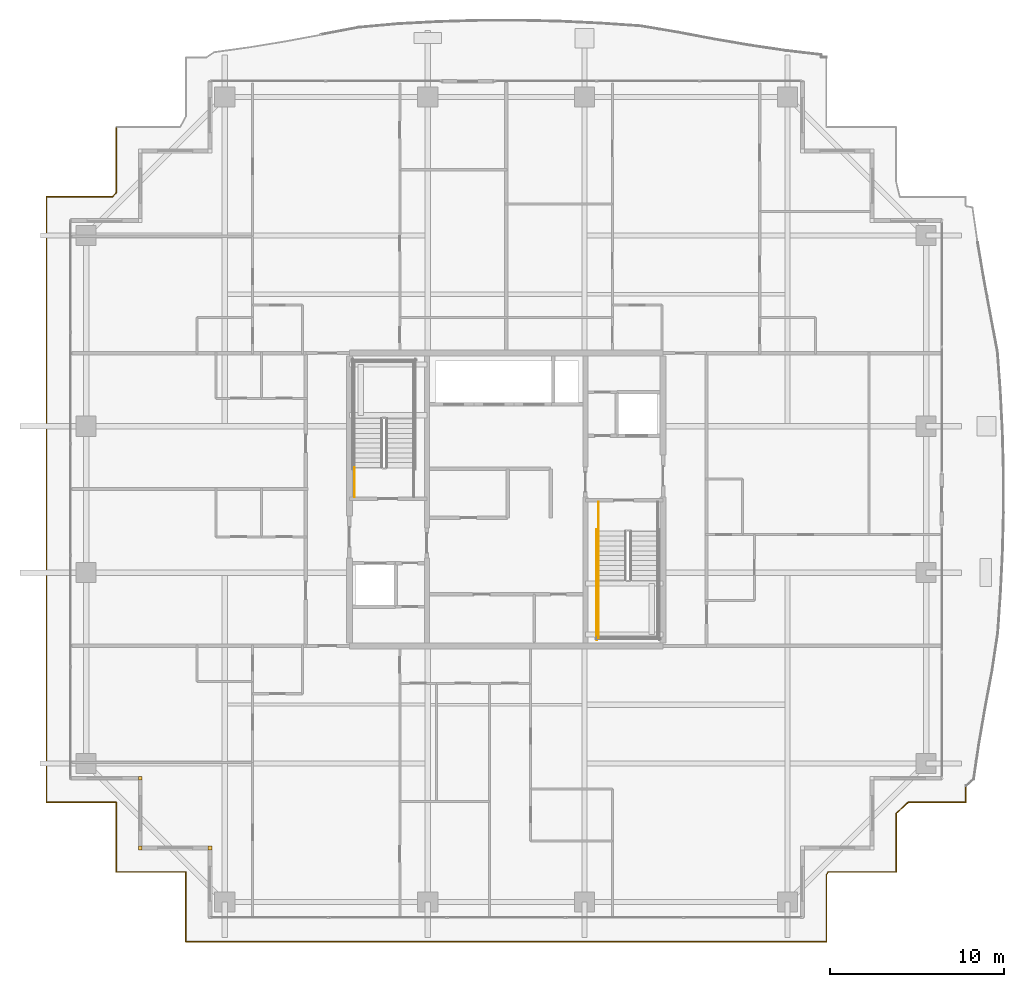
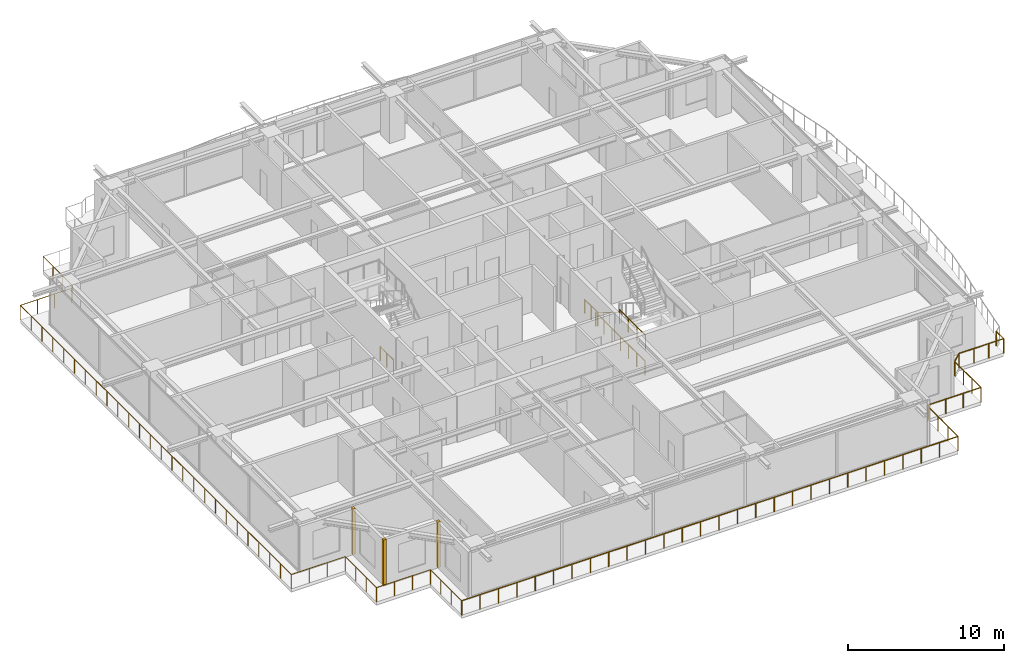
# One storey, part 33 of 37: 7 railings, 3 coverings.
"""IFC4 building model written with IfcOpenShell, lengths in metres."""

from ifc_helpers import new_model, si_unit, direction, frame, origin, origin_2d, place, context, subcontext, project, spatial, rectangle, circle, extrude, source, transform, mapped, material, layer, layer_set, type_object, element, save


model = new_model("IFC4")

# Units and contexts
model_context = context("Model", 3, precision=1e-05, world=origin(), true_north=direction((0.0, 1.0)))
body_context = subcontext(model_context, "Body", "Model", "MODEL_VIEW")
ifc_project = project(units=[si_unit("LENGTHUNIT", "METRE"), si_unit("AREAUNIT", "SQUARE_METRE"), si_unit("VOLUMEUNIT", "CUBIC_METRE"), si_unit("PLANEANGLEUNIT", "RADIAN"), si_unit("MASSUNIT", "GRAM", prefix="KILO")], contexts=[model_context])

# Site, building, storey
site_placement = place(None, origin())
site = spatial("IfcSite", under=ifc_project, at=site_placement, CompositionType="ELEMENT")
building_placement = place(site_placement, origin())
building = spatial("IfcBuilding", under=site, at=building_placement, Name="Serunith Strait Residences", CompositionType="ELEMENT")
storey_placement = place(building_placement, frame((0.0, 0.0, 233.550048828125)))
storey = spatial("IfcBuildingStorey", under=building, at=storey_placement, Name="L58", CompositionType="ELEMENT", Elevation=233.550048828125)

# Railings
ifc_material_1 = material(Name="Stainless Steel & Laminated Glass Balustrade", Category="steel")
railing_type_1 = type_object("IfcRailingType", Name="RLG-BALC-1150", PredefinedType="BALUSTRADE", material=ifc_material_1)
railing_1_placement = place(storey_placement, frame((58.780029296875, 8.7705078125, -0.050048828125)))
element("IfcRailing", 1, at=railing_1_placement, inside=storey, type_object=railing_type_1, Name="L58 Swirling Balcony Perimeter Balustrade 7", PredefinedType="BALUSTRADE", context=body_context, shape_type="SweptSolid", body=[
    extrude(circle(Radius=0.02392578125, at=origin_2d()), frame((0.0, -0.001953125, 1.1259765625), z_axis=(0.0, -1.0, 0.0), x_axis=(1.0, 0.0, 0.0)), (0.0, 0.0, 1.0), 0.946533203125),
    extrude(circle(Radius=0.02392578125, at=origin_2d()), frame((-0.001953125, -0.950439453125, 1.1259765625), z_axis=(-1.0, 0.0, 0.0), x_axis=(0.0, -1.0, 0.0)), (0.0, 0.0, 1.0), 3.3046875),
    extrude(circle(Radius=0.02392578125, at=origin_2d()), frame((-3.31005859375, -0.951904296875, 1.1259765625), z_axis=(-0.729922896006, -0.683529491599, 0.0), x_axis=(0.683529491599, -0.729922896006, 0.0)), (0.0, 0.0, 1.0), 0.943115234375),
    extrude(circle(Radius=0.02392578125, at=origin_2d()), frame((-4.0, -1.599853515625, 1.1259765625), z_axis=(0.0, -1.0, 0.0), x_axis=(1.0, 0.0, 0.0)), (0.0, 0.0, 1.0), 3.3486328125),
    extrude(circle(Radius=0.02392578125, at=origin_2d()), frame((-4.001953125, -4.950439453125, 1.1259765625), z_axis=(-1.0, 0.0, 0.0), x_axis=(0.0, -1.0, 0.0)), (0.0, 0.0, 1.0), 3.89501953125),
    extrude(circle(Radius=0.02392578125, at=origin_2d()), frame((-7.89990234375, -4.9521484375, 1.1259765625), z_axis=(-0.546751112301, -0.83729518164, 0.0), x_axis=(0.83729518164, -0.546751112301, 0.0)), (0.0, 0.0, 1.0), 0.180908203125),
    extrude(circle(Radius=0.02392578125, at=origin_2d()), frame((-8.0, -5.107177734375, 1.1259765625), z_axis=(0.0, -1.0, 0.0), x_axis=(1.0, 0.0, 0.0)), (0.0, 0.0, 1.0), 3.84130859375),
    extrude(circle(Radius=0.02392578125, at=origin_2d()), frame((-8.001953125, -8.950439453125, 1.1259765625), z_axis=(-1.0, 0.0, 0.0), x_axis=(0.0, -1.0, 0.0)), (0.0, 0.0, 1.0), 36.756103515625),
    extrude(circle(Radius=0.02099609375, at=origin_2d()), origin(), (0.0, 0.0, 1.0), 1.099853515625),
    extrude(circle(Radius=0.02099609375, at=origin_2d()), frame((0.0, -0.950439453125, 0.0)), (0.0, 0.0, 1.0), 1.099853515625),
    extrude(circle(Radius=0.02099609375, at=origin_2d()), frame((-1.102783203125, -0.950439453125, 0.0)), (0.0, 0.0, 1.0), 1.099853515625),
    extrude(circle(Radius=0.02099609375, at=origin_2d()), frame((-2.205810546875, -0.950439453125, 0.0)), (0.0, 0.0, 1.0), 1.099853515625),
    extrude(circle(Radius=0.02099609375, at=origin_2d()), frame((-3.30859375, -0.950439453125, 0.0)), (0.0, 0.0, 1.0), 1.099853515625),
    extrude(circle(Radius=0.02099609375, at=origin_2d()), frame((-4.0, -1.597900390625, 0.0)), (0.0, 0.0, 1.0), 1.099853515625),
    extrude(circle(Radius=0.02099609375, at=origin_2d()), frame((-4.0, -2.71533203125, 0.0)), (0.0, 0.0, 1.0), 1.099853515625),
    extrude(circle(Radius=0.02099609375, at=origin_2d()), frame((-4.0, -3.8330078125, 0.0)), (0.0, 0.0, 1.0), 1.099853515625),
    extrude(circle(Radius=0.02099609375, at=origin_2d()), frame((-4.0, -4.950439453125, 0.0)), (0.0, 0.0, 1.0), 1.099853515625),
    extrude(circle(Radius=0.02099609375, at=origin_2d()), frame((-5.299560546875, -4.950439453125, 0.0)), (0.0, 0.0, 1.0), 1.099853515625),
    extrude(circle(Radius=0.02099609375, at=origin_2d()), frame((-6.599365234375, -4.950439453125, 0.0)), (0.0, 0.0, 1.0), 1.099853515625),
    extrude(circle(Radius=0.02099609375, at=origin_2d()), frame((-7.89892578125, -4.950439453125, 0.0)), (0.0, 0.0, 1.0), 1.099853515625),
    extrude(circle(Radius=0.02099609375, at=origin_2d()), frame((-8.0, -5.105224609375, 0.0)), (0.0, 0.0, 1.0), 1.099853515625),
    extrude(circle(Radius=0.02099609375, at=origin_2d()), frame((-8.0, -6.386962890625, 0.0)), (0.0, 0.0, 1.0), 1.099853515625),
    extrude(circle(Radius=0.02099609375, at=origin_2d()), frame((-8.0, -7.668701171875, 0.0)), (0.0, 0.0, 1.0), 1.099853515625),
    extrude(circle(Radius=0.02099609375, at=origin_2d()), frame((-8.0, -8.950439453125, 0.0)), (0.0, 0.0, 1.0), 1.099853515625),
    extrude(circle(Radius=0.02099609375, at=origin_2d()), frame((-9.361572265625, -8.950439453125, 0.0)), (0.0, 0.0, 1.0), 1.099853515625),
    extrude(circle(Radius=0.02099609375, at=origin_2d()), frame((-10.722900390625, -8.950439453125, 0.0)), (0.0, 0.0, 1.0), 1.099853515625),
    extrude(circle(Radius=0.02099609375, at=origin_2d()), frame((-12.08447265625, -8.950439453125, 0.0)), (0.0, 0.0, 1.0), 1.099853515625),
    extrude(circle(Radius=0.02099609375, at=origin_2d()), frame((-13.446044921875, -8.950439453125, 0.0)), (0.0, 0.0, 1.0), 1.099853515625),
    extrude(circle(Radius=0.02099609375, at=origin_2d()), frame((-14.807373046875, -8.950439453125, 0.0)), (0.0, 0.0, 1.0), 1.099853515625),
    extrude(circle(Radius=0.02099609375, at=origin_2d()), frame((-16.1689453125, -8.950439453125, 0.0)), (0.0, 0.0, 1.0), 1.099853515625),
    extrude(circle(Radius=0.02099609375, at=origin_2d()), frame((-17.5302734375, -8.950439453125, 0.0)), (0.0, 0.0, 1.0), 1.099853515625),
    extrude(circle(Radius=0.02099609375, at=origin_2d()), frame((-18.891845703125, -8.950439453125, 0.0)), (0.0, 0.0, 1.0), 1.099853515625),
    extrude(circle(Radius=0.02099609375, at=origin_2d()), frame((-20.25341796875, -8.950439453125, 0.0)), (0.0, 0.0, 1.0), 1.099853515625),
    extrude(circle(Radius=0.02099609375, at=origin_2d()), frame((-21.61474609375, -8.950439453125, 0.0)), (0.0, 0.0, 1.0), 1.099853515625),
    extrude(circle(Radius=0.02099609375, at=origin_2d()), frame((-22.976318359375, -8.950439453125, 0.0)), (0.0, 0.0, 1.0), 1.099853515625),
    extrude(circle(Radius=0.02099609375, at=origin_2d()), frame((-24.337890625, -8.950439453125, 0.0)), (0.0, 0.0, 1.0), 1.099853515625),
    extrude(circle(Radius=0.02099609375, at=origin_2d()), frame((-25.69921875, -8.950439453125, 0.0)), (0.0, 0.0, 1.0), 1.099853515625),
    extrude(circle(Radius=0.02099609375, at=origin_2d()), frame((-27.060791015625, -8.950439453125, 0.0)), (0.0, 0.0, 1.0), 1.099853515625),
    extrude(circle(Radius=0.02099609375, at=origin_2d()), frame((-28.422119140625, -8.950439453125, 0.0)), (0.0, 0.0, 1.0), 1.099853515625),
    extrude(circle(Radius=0.02099609375, at=origin_2d()), frame((-29.78369140625, -8.950439453125, 0.0)), (0.0, 0.0, 1.0), 1.099853515625),
    extrude(circle(Radius=0.02099609375, at=origin_2d()), frame((-31.145263671875, -8.950439453125, 0.0)), (0.0, 0.0, 1.0), 1.099853515625),
    extrude(circle(Radius=0.02099609375, at=origin_2d()), frame((-32.506591796875, -8.950439453125, 0.0)), (0.0, 0.0, 1.0), 1.099853515625),
    extrude(circle(Radius=0.02099609375, at=origin_2d()), frame((-33.8681640625, -8.950439453125, 0.0)), (0.0, 0.0, 1.0), 1.099853515625),
    extrude(circle(Radius=0.02099609375, at=origin_2d()), frame((-35.229736328125, -8.950439453125, 0.0)), (0.0, 0.0, 1.0), 1.099853515625),
    extrude(circle(Radius=0.02099609375, at=origin_2d()), frame((-36.591064453125, -8.950439453125, 0.0)), (0.0, 0.0, 1.0), 1.099853515625),
    extrude(circle(Radius=0.02099609375, at=origin_2d()), frame((-37.95263671875, -8.950439453125, 0.0)), (0.0, 0.0, 1.0), 1.099853515625),
    extrude(circle(Radius=0.02099609375, at=origin_2d()), frame((-39.31396484375, -8.950439453125, 0.0)), (0.0, 0.0, 1.0), 1.099853515625),
    extrude(circle(Radius=0.02099609375, at=origin_2d()), frame((-40.675537109375, -8.950439453125, 0.0)), (0.0, 0.0, 1.0), 1.099853515625),
    extrude(circle(Radius=0.02099609375, at=origin_2d()), frame((-42.037109375, -8.950439453125, 0.0)), (0.0, 0.0, 1.0), 1.099853515625),
    extrude(circle(Radius=0.02099609375, at=origin_2d()), frame((-43.3984375, -8.950439453125, 0.0)), (0.0, 0.0, 1.0), 1.099853515625),
    extrude(circle(Radius=0.02099609375, at=origin_2d()), frame((-44.760009765625, -8.950439453125, 0.0)), (0.0, 0.0, 1.0), 1.099853515625),
])
railing_2_placement = place(storey_placement, frame((14.02001953125, -0.179931640625, -0.050048828125)))
element("IfcRailing", 2, at=railing_2_placement, inside=storey, type_object=railing_type_1, Name="L58 Swirling Balcony Perimeter Balustrade 8", PredefinedType="BALUSTRADE", context=body_context, shape_type="SweptSolid", body=[
    extrude(circle(Radius=0.02392578125, at=origin_2d()), frame((0.0, 0.001953125, 1.1259765625), z_axis=(0.0, 1.0, 0.0), x_axis=(-1.0, 0.0, 0.0)), (0.0, 0.0, 1.0), 3.99609375),
    extrude(circle(Radius=0.02392578125, at=origin_2d()), frame((-0.001953125, 4.0, 1.1259765625), z_axis=(-1.0, 0.0, 0.0), x_axis=(0.0, -1.0, 0.0)), (0.0, 0.0, 1.0), 3.99609375),
    extrude(circle(Radius=0.02392578125, at=origin_2d()), frame((-4.0, 4.001953125, 1.1259765625), z_axis=(0.0, 1.0, 0.0), x_axis=(-1.0, 0.0, 0.0)), (0.0, 0.0, 1.0), 3.99609375),
    extrude(circle(Radius=0.02392578125, at=origin_2d()), frame((-4.001953125, 8.0, 1.1259765625), z_axis=(-1.0, 0.0, 0.0), x_axis=(0.0, -1.0, 0.0)), (0.0, 0.0, 1.0), 3.99609375),
    extrude(circle(Radius=0.02392578125, at=origin_2d()), frame((-8.0, 8.001953125, 1.1259765625), z_axis=(0.0, 1.0, 0.0), x_axis=(-1.0, 0.0, 0.0)), (0.0, 0.0, 1.0), 34.756103515625),
    extrude(circle(Radius=0.02392578125, at=origin_2d()), frame((-7.998046875, 42.760009765625, 1.1259765625), z_axis=(1.0, 0.0, 0.0), x_axis=(0.0, 1.0, 0.0)), (0.0, 0.0, 1.0), 3.801025390625),
    extrude(circle(Radius=0.02392578125, at=origin_2d()), frame((-4.19384765625, 42.761474609375, 1.1259765625), z_axis=(0.660199372359, 0.751090399843, 0.0), x_axis=(-0.751090399843, 0.660199372359, 0.0)), (0.0, 0.0, 1.0), 0.29150390625),
    extrude(circle(Radius=0.02392578125, at=origin_2d()), frame((-4.0, 42.98388671875, 1.1259765625), z_axis=(0.0, 1.0, 0.0), x_axis=(-1.0, 0.0, 0.0)), (0.0, 0.0, 1.0), 3.774169921875),
    extrude(circle(Radius=0.02099609375, at=origin_2d()), origin(), (0.0, 0.0, 1.0), 1.099853515625),
    extrude(circle(Radius=0.02099609375, at=origin_2d()), frame((0.0, 1.333251953125, 0.0)), (0.0, 0.0, 1.0), 1.099853515625),
    extrude(circle(Radius=0.02099609375, at=origin_2d()), frame((0.0, 2.666748046875, 0.0)), (0.0, 0.0, 1.0), 1.099853515625),
    extrude(circle(Radius=0.02099609375, at=origin_2d()), frame((0.0, 4.0, 0.0)), (0.0, 0.0, 1.0), 1.099853515625),
    extrude(circle(Radius=0.02099609375, at=origin_2d()), frame((-1.333251953125, 4.0, 0.0)), (0.0, 0.0, 1.0), 1.099853515625),
    extrude(circle(Radius=0.02099609375, at=origin_2d()), frame((-2.666748046875, 4.0, 0.0)), (0.0, 0.0, 1.0), 1.099853515625),
    extrude(circle(Radius=0.02099609375, at=origin_2d()), frame((-4.0, 4.0, 0.0)), (0.0, 0.0, 1.0), 1.099853515625),
    extrude(circle(Radius=0.02099609375, at=origin_2d()), frame((-4.0, 5.333251953125, 0.0)), (0.0, 0.0, 1.0), 1.099853515625),
    extrude(circle(Radius=0.02099609375, at=origin_2d()), frame((-4.0, 6.666748046875, 0.0)), (0.0, 0.0, 1.0), 1.099853515625),
    extrude(circle(Radius=0.02099609375, at=origin_2d()), frame((-4.0, 8.0, 0.0)), (0.0, 0.0, 1.0), 1.099853515625),
    extrude(circle(Radius=0.02099609375, at=origin_2d()), frame((-5.333251953125, 8.0, 0.0)), (0.0, 0.0, 1.0), 1.099853515625),
    extrude(circle(Radius=0.02099609375, at=origin_2d()), frame((-6.666748046875, 8.0, 0.0)), (0.0, 0.0, 1.0), 1.099853515625),
    extrude(circle(Radius=0.02099609375, at=origin_2d()), frame((-8.0, 8.0, 0.0)), (0.0, 0.0, 1.0), 1.099853515625),
    extrude(circle(Radius=0.02099609375, at=origin_2d()), frame((-8.0, 9.390380859375, 0.0)), (0.0, 0.0, 1.0), 1.099853515625),
    extrude(circle(Radius=0.02099609375, at=origin_2d()), frame((-8.0, 10.78076171875, 0.0)), (0.0, 0.0, 1.0), 1.099853515625),
    extrude(circle(Radius=0.02099609375, at=origin_2d()), frame((-8.0, 12.171142578125, 0.0)), (0.0, 0.0, 1.0), 1.099853515625),
    extrude(circle(Radius=0.02099609375, at=origin_2d()), frame((-8.0, 13.5615234375, 0.0)), (0.0, 0.0, 1.0), 1.099853515625),
    extrude(circle(Radius=0.02099609375, at=origin_2d()), frame((-8.0, 14.951904296875, 0.0)), (0.0, 0.0, 1.0), 1.099853515625),
    extrude(circle(Radius=0.02099609375, at=origin_2d()), frame((-8.0, 16.34228515625, 0.0)), (0.0, 0.0, 1.0), 1.099853515625),
    extrude(circle(Radius=0.02099609375, at=origin_2d()), frame((-8.0, 17.73291015625, 0.0)), (0.0, 0.0, 1.0), 1.099853515625),
    extrude(circle(Radius=0.02099609375, at=origin_2d()), frame((-8.0, 19.123291015625, 0.0)), (0.0, 0.0, 1.0), 1.099853515625),
    extrude(circle(Radius=0.02099609375, at=origin_2d()), frame((-8.0, 20.513671875, 0.0)), (0.0, 0.0, 1.0), 1.099853515625),
    extrude(circle(Radius=0.02099609375, at=origin_2d()), frame((-8.0, 21.904052734375, 0.0)), (0.0, 0.0, 1.0), 1.099853515625),
    extrude(circle(Radius=0.02099609375, at=origin_2d()), frame((-8.0, 23.29443359375, 0.0)), (0.0, 0.0, 1.0), 1.099853515625),
    extrude(circle(Radius=0.02099609375, at=origin_2d()), frame((-8.0, 24.684814453125, 0.0)), (0.0, 0.0, 1.0), 1.099853515625),
    extrude(circle(Radius=0.02099609375, at=origin_2d()), frame((-8.0, 26.0751953125, 0.0)), (0.0, 0.0, 1.0), 1.099853515625),
    extrude(circle(Radius=0.02099609375, at=origin_2d()), frame((-8.0, 27.465576171875, 0.0)), (0.0, 0.0, 1.0), 1.099853515625),
    extrude(circle(Radius=0.02099609375, at=origin_2d()), frame((-8.0, 28.85595703125, 0.0)), (0.0, 0.0, 1.0), 1.099853515625),
    extrude(circle(Radius=0.02099609375, at=origin_2d()), frame((-8.0, 30.246337890625, 0.0)), (0.0, 0.0, 1.0), 1.099853515625),
    extrude(circle(Radius=0.02099609375, at=origin_2d()), frame((-8.0, 31.63671875, 0.0)), (0.0, 0.0, 1.0), 1.099853515625),
    extrude(circle(Radius=0.02099609375, at=origin_2d()), frame((-8.0, 33.027099609375, 0.0)), (0.0, 0.0, 1.0), 1.099853515625),
    extrude(circle(Radius=0.02099609375, at=origin_2d()), frame((-8.0, 34.417724609375, 0.0)), (0.0, 0.0, 1.0), 1.099853515625),
    extrude(circle(Radius=0.02099609375, at=origin_2d()), frame((-8.0, 35.80810546875, 0.0)), (0.0, 0.0, 1.0), 1.099853515625),
    extrude(circle(Radius=0.02099609375, at=origin_2d()), frame((-8.0, 37.198486328125, 0.0)), (0.0, 0.0, 1.0), 1.099853515625),
    extrude(circle(Radius=0.02099609375, at=origin_2d()), frame((-8.0, 38.5888671875, 0.0)), (0.0, 0.0, 1.0), 1.099853515625),
    extrude(circle(Radius=0.02099609375, at=origin_2d()), frame((-8.0, 39.979248046875, 0.0)), (0.0, 0.0, 1.0), 1.099853515625),
    extrude(circle(Radius=0.02099609375, at=origin_2d()), frame((-8.0, 41.36962890625, 0.0)), (0.0, 0.0, 1.0), 1.099853515625),
    extrude(circle(Radius=0.02099609375, at=origin_2d()), frame((-8.0, 42.760009765625, 0.0)), (0.0, 0.0, 1.0), 1.099853515625),
    extrude(circle(Radius=0.02099609375, at=origin_2d()), frame((-6.731689453125, 42.760009765625, 0.0)), (0.0, 0.0, 1.0), 1.099853515625),
    extrude(circle(Radius=0.02099609375, at=origin_2d()), frame((-5.46337890625, 42.760009765625, 0.0)), (0.0, 0.0, 1.0), 1.099853515625),
    extrude(circle(Radius=0.02099609375, at=origin_2d()), frame((-4.195068359375, 42.760009765625, 0.0)), (0.0, 0.0, 1.0), 1.099853515625),
    extrude(circle(Radius=0.02099609375, at=origin_2d()), frame((-4.0, 42.98193359375, 0.0)), (0.0, 0.0, 1.0), 1.099853515625),
    extrude(circle(Radius=0.02099609375, at=origin_2d()), frame((-4.0, 44.2412109375, 0.0)), (0.0, 0.0, 1.0), 1.099853515625),
    extrude(circle(Radius=0.02099609375, at=origin_2d()), frame((-4.0, 45.500732421875, 0.0)), (0.0, 0.0, 1.0), 1.099853515625),
    extrude(circle(Radius=0.02099609375, at=origin_2d()), frame((-4.0, 46.760009765625, 0.0)), (0.0, 0.0, 1.0), 1.099853515625),
])
ifc_material_2 = material(Name="Brushed stainless steel 316L", Category="steel")
railing_type_2 = type_object("IfcRailingType", Name="RLG-STAIR-GUARD", PredefinedType="BALUSTRADE", material=ifc_material_2)
railing_3_placement = place(storey_placement, frame((23.699951171875, 25.35009765625, 0.0)))
element("IfcRailing", 3, at=railing_3_placement, inside=storey, type_object=railing_type_2, Name="L58 ST-1 stair guard 9", PredefinedType="BALUSTRADE", context=body_context, shape_type="SweptSolid", body=[
    extrude(circle(Radius=0.02392578125, at=origin_2d()), frame((0.0, 0.001953125, 1.076171875), z_axis=(0.0, 1.0, 0.0), x_axis=(-1.0, 0.0, 0.0)), (0.0, 0.0, 1.0), 1.676025390625),
    extrude(circle(Radius=0.02099609375, at=origin_2d()), origin(), (0.0, 0.0, 1.0), 1.050048828125),
    extrude(circle(Radius=0.02099609375, at=origin_2d()), frame((0.0, 0.83984375, 0.0)), (0.0, 0.0, 1.0), 1.050048828125),
    extrude(circle(Radius=0.02099609375, at=origin_2d()), frame((0.0, 1.679931640625, 0.0)), (0.0, 0.0, 1.0), 1.050048828125),
])
railing_4_placement = place(storey_placement, frame((37.699951171875, 20.570068359375, 1.925048828125)))
element("IfcRailing", 4, at=railing_4_placement, inside=storey, type_object=railing_type_2, Name="L58 ST-2 stair guard 3", PredefinedType="BALUSTRADE", context=body_context, shape_type="SweptSolid", body=[
    extrude(circle(Radius=0.02392578125, at=origin_2d()), frame((0.0, -0.001953125, 1.076171875), z_axis=(0.0, -1.0, 0.0), x_axis=(1.0, 0.0, 0.0)), (0.0, 0.0, 1.0), 3.316162109375),
    extrude(circle(Radius=0.02099609375, at=origin_2d()), origin(), (0.0, 0.0, 1.0), 1.050048828125),
    extrude(circle(Radius=0.02099609375, at=origin_2d()), frame((0.0, -1.106689453125, 0.0)), (0.0, 0.0, 1.0), 1.050048828125),
    extrude(circle(Radius=0.02099609375, at=origin_2d()), frame((0.0, -2.21337890625, 0.0)), (0.0, 0.0, 1.0), 1.050048828125),
    extrude(circle(Radius=0.02099609375, at=origin_2d()), frame((0.0, -3.320068359375, 0.0)), (0.0, 0.0, 1.0), 1.050048828125),
])
railing_5_placement = place(storey_placement, frame((37.699951171875, 25.050048828125, 0.0)))
element("IfcRailing", 5, at=railing_5_placement, inside=storey, type_object=railing_type_2, Name="L58 ST-2 stair guard 8", PredefinedType="BALUSTRADE", context=body_context, shape_type="SweptSolid", body=[
    extrude(circle(Radius=0.02392578125, at=origin_2d()), frame((0.0, -0.001953125, 1.076171875), z_axis=(0.0, -1.0, 0.0), x_axis=(1.0, 0.0, 0.0)), (0.0, 0.0, 1.0), 1.676025390625),
    extrude(circle(Radius=0.02099609375, at=origin_2d()), origin(), (0.0, 0.0, 1.0), 1.050048828125),
    extrude(circle(Radius=0.02099609375, at=origin_2d()), frame((0.0, -0.83984375, 0.0)), (0.0, 0.0, 1.0), 1.050048828125),
    extrude(circle(Radius=0.02099609375, at=origin_2d()), frame((0.0, -1.679931640625, 0.0)), (0.0, 0.0, 1.0), 1.050048828125),
])
railing_6_placement = place(storey_placement, frame((37.60009765625, 23.469970703125, 0.0)))
element("IfcRailing", 6, at=railing_6_placement, inside=storey, type_object=railing_type_2, Name="L58 ST-2 stair guard 10", PredefinedType="BALUSTRADE", context=body_context, shape_type="SweptSolid", body=[
    extrude(circle(Radius=0.02392578125, at=origin_2d()), frame((0.0, -0.001953125, 1.076171875), z_axis=(0.0, -1.0, 0.0), x_axis=(1.0, 0.0, 0.0)), (0.0, 0.0, 1.0), 6.316162109375),
    extrude(circle(Radius=0.02099609375, at=origin_2d()), origin(), (0.0, 0.0, 1.0), 1.050048828125),
    extrude(circle(Radius=0.02099609375, at=origin_2d()), frame((0.0, -1.05322265625, 0.0)), (0.0, 0.0, 1.0), 1.050048828125),
    extrude(circle(Radius=0.02099609375, at=origin_2d()), frame((0.0, -2.106689453125, 0.0)), (0.0, 0.0, 1.0), 1.050048828125),
    extrude(circle(Radius=0.02099609375, at=origin_2d()), frame((0.0, -3.16015625, 0.0)), (0.0, 0.0, 1.0), 1.050048828125),
    extrude(circle(Radius=0.02099609375, at=origin_2d()), frame((0.0, -4.21337890625, 0.0)), (0.0, 0.0, 1.0), 1.050048828125),
    extrude(circle(Radius=0.02099609375, at=origin_2d()), frame((0.0, -5.2666015625, 0.0)), (0.0, 0.0, 1.0), 1.050048828125),
    extrude(circle(Radius=0.02099609375, at=origin_2d()), frame((0.0, -6.320068359375, 0.0)), (0.0, 0.0, 1.0), 1.050048828125),
])
railing_type_3 = type_object("IfcRailingType", Name="RLG-STAIR-HR", PredefinedType="HANDRAIL", material=ifc_material_2)
railing_7_placement = place(storey_placement, frame((37.699951171875, 23.3701171875, 0.175048828125)))
element("IfcRailing", 7, at=railing_7_placement, inside=storey, type_object=railing_type_3, Name="L58 ST-2 stair handrail 1", PredefinedType="HANDRAIL", context=body_context, shape_type="SweptSolid", body=[
    extrude(circle(Radius=0.02392578125, at=origin_2d()), frame((0.0, -0.001708984375, 0.876953125), z_axis=(0.0, -0.847393994688, 0.530964610654), x_axis=(1.0, 0.0, 0.0)), (0.0, 0.0, 1.0), 3.630859375),
    extrude(circle(Radius=0.02099609375, at=origin_2d()), origin(), (0.0, 0.0, 1.0), 0.849853515625),
    extrude(circle(Radius=0.02099609375, at=origin_2d()), frame((0.0, -0.77001953125, 0.482421875)), (0.0, 0.0, 1.0), 0.849853515625),
    extrude(circle(Radius=0.02099609375, at=origin_2d()), frame((0.0, -1.5400390625, 0.96484375)), (0.0, 0.0, 1.0), 0.849853515625),
    extrude(circle(Radius=0.02099609375, at=origin_2d()), frame((0.0, -2.31005859375, 1.447509765625)), (0.0, 0.0, 1.0), 0.849853515625),
    extrude(circle(Radius=0.02099609375, at=origin_2d()), frame((0.0, -3.080078125, 1.929931640625)), (0.0, 0.0, 1.0), 0.849853515625),
])

# Coverings
ifc_material_3 = material(Name="Pale-Champagne Anodised Aluminium", Category="aluminium")
ifc_layer = layer(ifc_material_3, 0.219970703125, Name="Pale-Champagne Anodised Aluminium")
ifc_layer_set = layer_set([ifc_layer], Name="Pale-Champagne Anodised Aluminium")
covering_type = type_object("IfcCoveringType", Name="COV-CORN-TRIM", PredefinedType="CLADDING", material=ifc_layer_set)
shared_shape = source(origin(), body_context, "Body", "SweptSolid", [
    extrude(rectangle(XDim=0.221923828125, YDim=0.221923828125, at=origin_2d()), origin(), (0.0, 0.0, 1.0), 3.574951171875),
])
for number, where, z_axis, x_axis, name in (
    (8, (11.39990234375, 9.199951171875, 0.0), (0.0, 0.0, 1.0), (1.0, 0.0, 0.0), "L58 Girih Serrated Corner Trim Post 17"),
    (9, (11.39990234375, 5.199951171875, 0.0), (0.0, 0.0, 1.0), (1.0, 0.0, 0.0), "L58 Girih Serrated Corner Trim Post 18"),
    (10, (15.39990234375, 5.199951171875, 0.0), (0.0, 0.0, 1.0), (1.0, 0.0, 0.0), "L58 Girih Serrated Corner Trim Post 19"),
):
    element("IfcCovering", number, at=place(storey_placement, frame(where, z_axis=z_axis, x_axis=x_axis)), inside=storey, type_object=covering_type, Name=name, PredefinedType="CLADDING", context=body_context, shape_type="MappedRepresentation", body=[
        mapped(shared_shape, transform((0.0, 0.0, 0.0), scale=1.0)),
    ])

save(model, "model.ifc")
